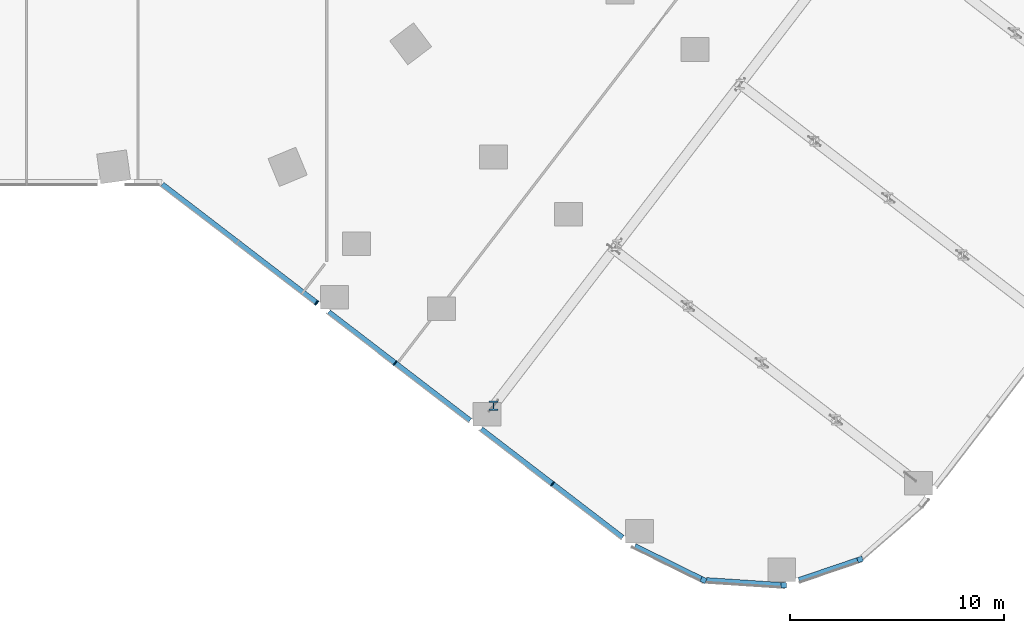
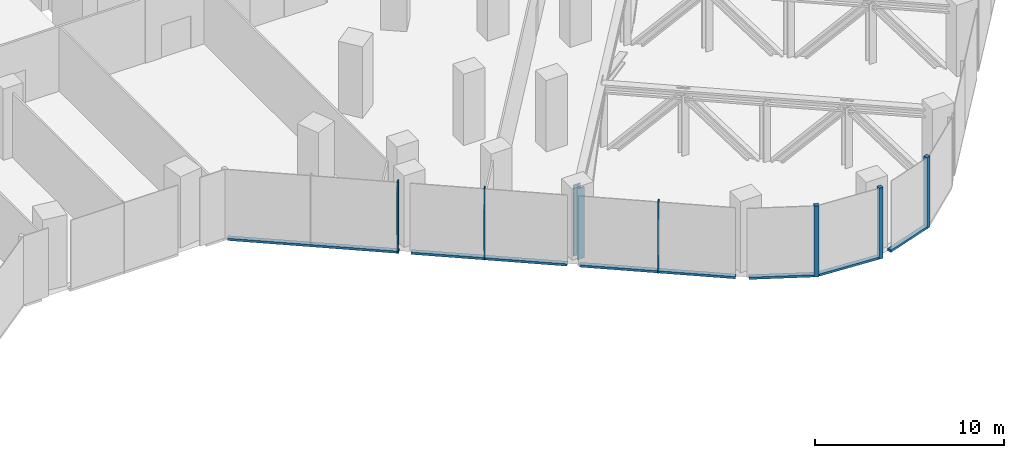
# One storey, part 6 of 30: 13 members, 4 elements without a shape of their own.
"""IFC4 building model written with IfcOpenShell, lengths in metres."""

from ifc_helpers import new_model, si_unit, direction, frame, origin, origin_2d, place, context, subcontext, project, spatial, rectangle, i_section, extrude, material, material_profile, profile_set, type_object, element, aggregate, save


model = new_model("IFC4")

# Units and contexts
model_context = context("Model", 3, precision=1e-05, world=origin(), true_north=direction((0.0, 1.0)))
body_context = subcontext(model_context, "Body", "Model", "MODEL_VIEW")
ifc_project = project(units=[si_unit("LENGTHUNIT", "METRE"), si_unit("AREAUNIT", "SQUARE_METRE"), si_unit("VOLUMEUNIT", "CUBIC_METRE"), si_unit("PLANEANGLEUNIT", "RADIAN"), si_unit("MASSUNIT", "GRAM", prefix="KILO")], contexts=[model_context])

# Site, building, storey
site_placement = place(None, origin())
site = spatial("IfcSite", under=ifc_project, at=site_placement, CompositionType="ELEMENT")
building_placement = place(site_placement, origin())
building = spatial("IfcBuilding", under=site, at=building_placement, Name="Orlundy Tower", CompositionType="ELEMENT")
storey_placement = place(building_placement, frame((0.0, 0.0, 20.5)))
storey = spatial("IfcBuildingStorey", under=building, at=storey_placement, Name="L03", CompositionType="ELEMENT", Elevation=20.5)

# Curtain wall, member
ifc_material_1 = material(Name="Aluminium bronze anodised", Category="aluminium")
curtain_wall_type = type_object("IfcCurtainWallType", Name="CW2 wall", PredefinedType="NOTDEFINED", material=ifc_material_1)
curtain_wall_1_placement = place(storey_placement, origin())
curtain_wall_1 = element("IfcCurtainWall", 1, at=curtain_wall_1_placement, inside=storey, type_object=curtain_wall_type, Name="CW2 run 025", PredefinedType="NOTDEFINED")
ifc_material_2 = material(Name="Aluminium bronze anodised", Category="aluminium")
ifc_material_profile_1 = material_profile(ifc_material_2, rectangle(XDim=0.25, YDim=0.25, at=origin_2d()), Name="CW2 corner post 250x250")
ifc_profile_set_1 = profile_set([ifc_material_profile_1], Name="Aluminium bronze anodised")
member_type_1 = type_object("IfcMemberType", Name="CW2 corner post 250x250", PredefinedType="MULLION", material=ifc_profile_set_1)
member_1_placement = place(storey_placement, frame((38.8828125, -47.71435546875, -0.39990234375), z_axis=(0.0, 0.0, 1.0), x_axis=(0.321564171921, -0.946887788144, 0.0)))
member_1 = element("IfcMember", 2, at=member_1_placement, type_object=member_type_1, Name="CW2 mullion 66", PredefinedType="MULLION", context=body_context, shape_type="SweptSolid", body=[
    extrude(rectangle(XDim=0.25, YDim=0.25, at=origin_2d()), origin(), (0.0, 0.0, 1.0), 4.579833984375),
])

curtain_wall_2_placement = place(storey_placement, origin())
curtain_wall_2 = element("IfcCurtainWall", 3, at=curtain_wall_2_placement, inside=storey, type_object=curtain_wall_type, Name="CW2 run 026", PredefinedType="NOTDEFINED")
member_2_placement = place(storey_placement, frame((35.32568359375, -48.92236328125, -0.39990234375), z_axis=(0.0, 0.0, 1.0), x_axis=(-0.065552133657, -0.9978491458, 0.0)))
member_2 = element("IfcMember", 4, at=member_2_placement, type_object=member_type_1, Name="CW2 mullion 67", PredefinedType="MULLION", context=body_context, shape_type="SweptSolid", body=[
    extrude(rectangle(XDim=0.25, YDim=0.25, at=origin_2d()), origin(), (0.0, 0.0, 1.0), 4.579833984375),
])

curtain_wall_3_placement = place(storey_placement, origin())
curtain_wall_3 = element("IfcCurtainWall", 5, at=curtain_wall_3_placement, inside=storey, type_object=curtain_wall_type, Name="CW2 run 027", PredefinedType="NOTDEFINED")
member_3_placement = place(storey_placement, frame((31.576904296875, -48.676025390625, -0.39990234375), z_axis=(0.0, 0.0, 1.0), x_axis=(-0.442241939743, -0.896895794801, 0.0)))
member_3 = element("IfcMember", 6, at=member_3_placement, type_object=member_type_1, Name="CW2 mullion 68", PredefinedType="MULLION", context=body_context, shape_type="SweptSolid", body=[
    extrude(rectangle(XDim=0.25, YDim=0.25, at=origin_2d()), origin(), (0.0, 0.0, 1.0), 4.579833984375),
])

# Curtain wall, members
curtain_wall_4_placement = place(storey_placement, origin())
curtain_wall_4 = element("IfcCurtainWall", 7, at=curtain_wall_4_placement, inside=storey, type_object=curtain_wall_type, Name="CW2 run 00", PredefinedType="NOTDEFINED")
ifc_material_3 = material(Name="Aluminium bronze anodised", Category="aluminium")
ifc_material_profile_2 = material_profile(ifc_material_3, rectangle(XDim=0.25, YDim=0.050048828125, at=origin_2d()), Name="CW2 mullion 50x250")
ifc_profile_set_2 = profile_set([ifc_material_profile_2], Name="Aluminium bronze anodised")
member_type_2 = type_object("IfcMemberType", Name="CW2 mullion 50x250", PredefinedType="MULLION", material=ifc_profile_set_2)
member_4_placement = place(storey_placement, frame((24.5361328125, -44.194091796875, -0.39990234375), z_axis=(0.0, 0.0, 1.0), x_axis=(-0.60875715215, -0.793356622022, 0.0)))
member_4 = element("IfcMember", 8, at=member_4_placement, type_object=member_type_2, Name="CW2 mullion 2", PredefinedType="MULLION", context=body_context, shape_type="SweptSolid", body=[
    extrude(rectangle(XDim=0.25, YDim=0.050048828125, at=origin_2d()), origin(), (0.0, 0.0, 1.0), 4.579833984375),
])
member_5_placement = place(storey_placement, frame((17.1884765625, -38.55615234375, -0.39990234375), z_axis=(0.0, 0.0, 1.0), x_axis=(-0.60875715215, -0.793356622022, 0.0)))
member_5 = element("IfcMember", 9, at=member_5_placement, type_object=member_type_2, Name="CW2 mullion 4", PredefinedType="MULLION", context=body_context, shape_type="SweptSolid", body=[
    extrude(rectangle(XDim=0.25, YDim=0.050048828125, at=origin_2d()), origin(), (0.0, 0.0, 1.0), 4.579833984375),
])
member_6_placement = place(storey_placement, frame((13.5146484375, -35.737060546875, -0.39990234375), z_axis=(0.0, 0.0, 1.0), x_axis=(-0.60875715215, -0.793356622022, 0.0)))
member_6 = element("IfcMember", 10, at=member_6_placement, type_object=member_type_2, Name="CW2 mullion 5", PredefinedType="MULLION", context=body_context, shape_type="SweptSolid", body=[
    extrude(rectangle(XDim=0.25, YDim=0.050048828125, at=origin_2d()), origin(), (0.0, 0.0, 1.0), 4.579833984375),
])
ifc_material_4 = material(Name="Aluminium bronze anodised", Category="aluminium")
ifc_material_profile_3 = material_profile(ifc_material_4, rectangle(XDim=0.25, YDim=0.14990234375, at=origin_2d()), Name="CW2 transom 250x150")
ifc_profile_set_3 = profile_set([ifc_material_profile_3], Name="Aluminium bronze anodised")
member_type_3 = type_object("IfcMemberType", Name="CW2 transom 250x150", PredefinedType="USERDEFINED", material=ifc_profile_set_3)
member_7_placement = place(storey_placement, frame((27.798095703125, -46.697021484375, -0.324951171875), z_axis=(-0.793361797933, 0.608750406636, 0.0), x_axis=(-0.608750406636, -0.793361797933, 0.0)))
member_7 = element("IfcMember", 11, at=member_7_placement, type_object=member_type_3, Name="CW2 transom", ObjectType="TRANSOM", PredefinedType="USERDEFINED", context=body_context, shape_type="SweptSolid", body=[
    extrude(rectangle(XDim=0.25, YDim=0.14990234375, at=origin_2d()), origin(), (0.0, 0.0, 1.0), 8.30908203125),
])
member_8_placement = place(storey_placement, frame((20.68408203125, -41.238525390625, -0.324951171875), z_axis=(-0.793344305907, 0.608773202666, 0.0), x_axis=(-0.608773202666, -0.793344305907, 0.0)))
member_8 = element("IfcMember", 12, at=member_8_placement, type_object=member_type_3, Name="CW2 transom", ObjectType="TRANSOM", PredefinedType="USERDEFINED", context=body_context, shape_type="SweptSolid", body=[
    extrude(rectangle(XDim=0.25, YDim=0.14990234375, at=origin_2d()), origin(), (0.0, 0.0, 1.0), 8.3095703125),
])
member_9_placement = place(storey_placement, frame((13.571044921875, -35.780517578125, -0.324951171875), z_axis=(-0.793352862871, 0.608762051194, 0.0), x_axis=(-0.608762051194, -0.793352862871, 0.0)))
member_9 = element("IfcMember", 13, at=member_9_placement, type_object=member_type_3, Name="CW2 transom", ObjectType="TRANSOM", PredefinedType="USERDEFINED", context=body_context, shape_type="SweptSolid", body=[
    extrude(rectangle(XDim=0.25, YDim=0.14990234375, at=origin_2d()), origin(), (0.0, 0.0, 1.0), 9.132568359375),
])
aggregate(curtain_wall_4, [member_4, member_5, member_6, member_7, member_8, member_9])

# Member
member_10_placement = place(storey_placement, frame((38.764404296875, -47.754638671875, -0.324951171875), z_axis=(-0.946892278069, -0.321550950448, 0.0), x_axis=(0.321550950448, -0.946892278069, 0.0)))
member_10 = element("IfcMember", 14, at=member_10_placement, type_object=member_type_3, Name="CW2 transom", ObjectType="TRANSOM", PredefinedType="USERDEFINED", context=body_context, shape_type="SweptSolid", body=[
    extrude(rectangle(XDim=0.25, YDim=0.14990234375, at=origin_2d()), origin(), (0.0, 0.0, 1.0), 2.88671875),
])

aggregate(curtain_wall_1, [member_1, member_10])

member_11_placement = place(storey_placement, frame((35.200927734375, -48.9140625, -0.324951171875), z_axis=(-0.997852911306, 0.065494789084, 0.0), x_axis=(-0.065494789084, -0.997852911306, 0.0)))
member_11 = element("IfcMember", 15, at=member_11_placement, type_object=member_type_3, Name="CW2 transom", ObjectType="TRANSOM", PredefinedType="USERDEFINED", context=body_context, shape_type="SweptSolid", body=[
    extrude(rectangle(XDim=0.25, YDim=0.14990234375, at=origin_2d()), origin(), (0.0, 0.0, 1.0), 3.49658203125),
])

aggregate(curtain_wall_2, [member_2, member_11])

member_12_placement = place(storey_placement, frame((31.46484375, -48.620849609375, -0.324951171875), z_axis=(-0.896879340897, 0.44227530778, 0.0), x_axis=(-0.44227530778, -0.896879340897, 0.0)))
member_12 = element("IfcMember", 16, at=member_12_placement, type_object=member_type_3, Name="CW2 transom", ObjectType="TRANSOM", PredefinedType="USERDEFINED", context=body_context, shape_type="SweptSolid", body=[
    extrude(rectangle(XDim=0.25, YDim=0.14990234375, at=origin_2d()), origin(), (0.0, 0.0, 1.0), 3.445556640625),
])

aggregate(curtain_wall_3, [member_3, member_12])

ifc_material_5 = material(Name="Steel ASTM A992 Gr 50", Category="steel")
ifc_material_profile_4 = material_profile(ifc_material_5, i_section(OverallWidth=0.41845703125, OverallDepth=0.455078125, WebThickness=0.0419921875, FlangeThickness=0.067626953125, at=origin_2d()), Name="W14X370")
ifc_profile_set_4 = profile_set([ifc_material_profile_4], Name="Steel ASTM A992 Gr 50")
member_type_4 = type_object("IfcMemberType", Name="TRANSFER TRUSS post W14X370", PredefinedType="POST", material=ifc_profile_set_4)
member_13_placement = place(storey_placement, frame((21.785400390625, -40.54638671875, -0.684814453125), z_axis=(0.0, 0.0, 1.0), x_axis=(1.0, 0.0, 0.0)))
element("IfcMember", 17, at=member_13_placement, inside=storey, type_object=member_type_4, Name="Transfer truss post TT-1-0", PredefinedType="POST", context=body_context, shape_type="SweptSolid", body=[
    extrude(i_section(OverallWidth=0.41845703125, OverallDepth=0.455078125, WebThickness=0.0419921875, FlangeThickness=0.067626953125, at=origin_2d()), origin(), (0.0, 0.0, 1.0), 4.580078125),
])

save(model, "model.ifc")
